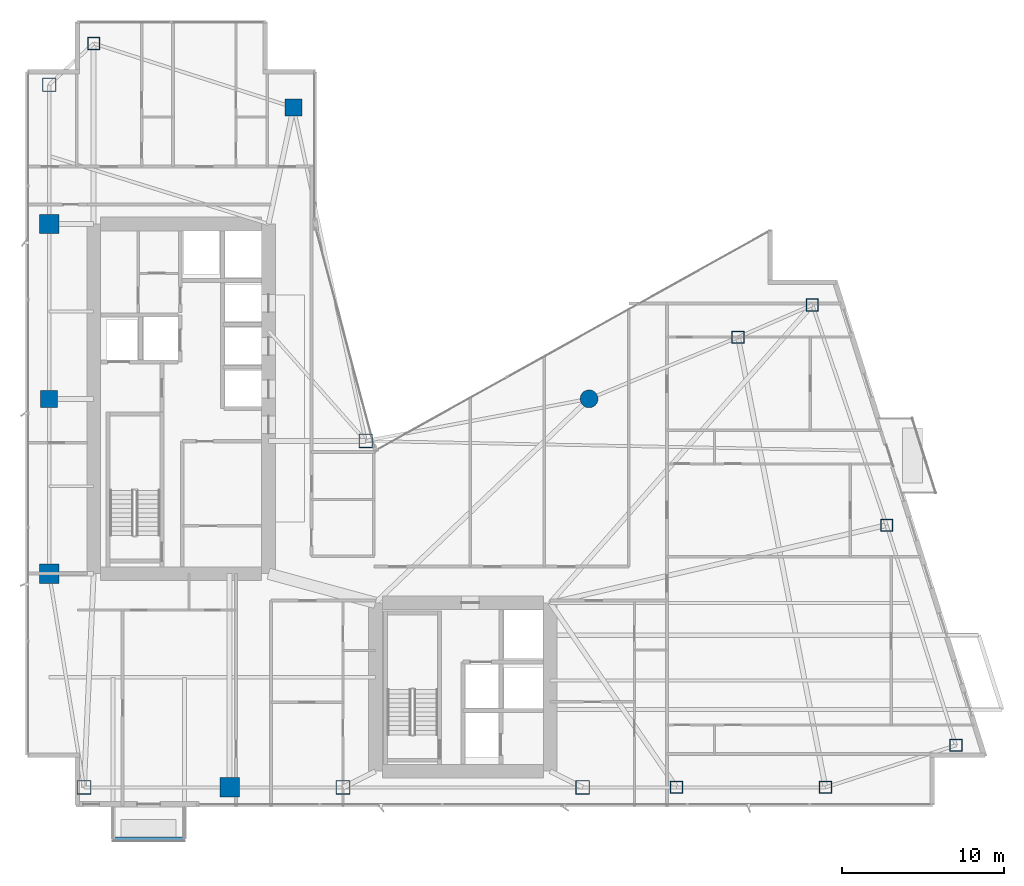
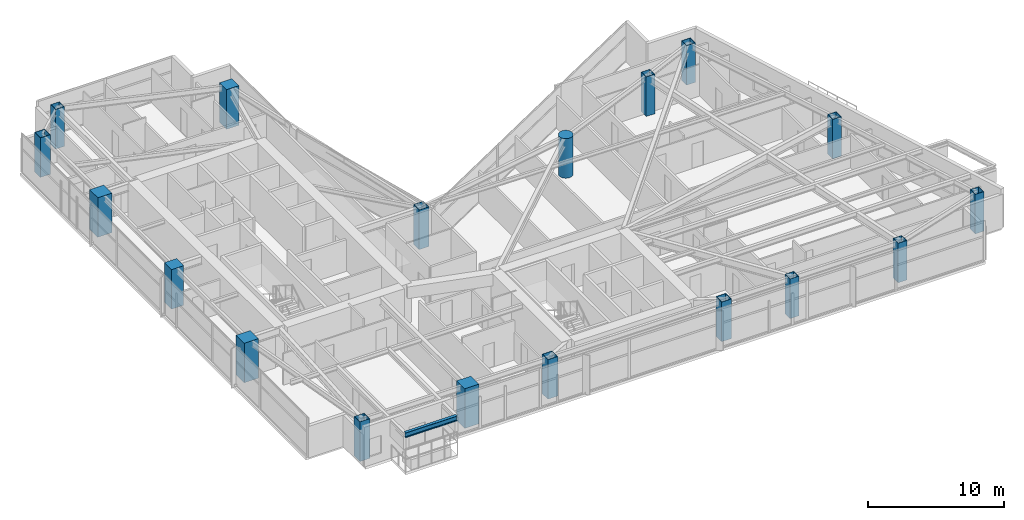
# One storey, part 1 of 28: 18 columns, 1 beam.
"""IFC4 building model written with IfcOpenShell, lengths in metres."""

from ifc_helpers import new_model, si_unit, direction, frame, origin, origin_2d, place, context, subcontext, project, spatial, rectangle, hollow_rectangle, circle, i_section, extrude, material, material_profile, profile_set, type_object, element, save


model = new_model("IFC4")

# Units and contexts
model_context = context("Model", 3, precision=1e-05, world=origin(), true_north=direction((0.0, 1.0)))
body_context = subcontext(model_context, "Body", "Model", "MODEL_VIEW")
ifc_project = project(units=[si_unit("LENGTHUNIT", "METRE"), si_unit("AREAUNIT", "SQUARE_METRE"), si_unit("VOLUMEUNIT", "CUBIC_METRE"), si_unit("PLANEANGLEUNIT", "RADIAN"), si_unit("MASSUNIT", "GRAM", prefix="KILO")], contexts=[model_context])

# Site, building, storey
site_placement = place(None, origin())
site = spatial("IfcSite", under=ifc_project, at=site_placement, CompositionType="ELEMENT")
building_placement = place(site_placement, origin())
building = spatial("IfcBuilding", under=site, at=building_placement, Name="Calvorn Quay Hotel", CompositionType="ELEMENT")
storey_placement = place(building_placement, frame((0.0, 0.0, 116.39990234375)))
storey = spatial("IfcBuildingStorey", under=building, at=storey_placement, Name="L28", CompositionType="ELEMENT", Elevation=116.39990234375)

# Columns
ifc_material_1 = material(Name="Concrete C50", Category="concrete")
ifc_material_profile_1 = material_profile(ifc_material_1, rectangle(XDim=1.050048828125, YDim=1.050048828125, at=origin_2d()), Name="RC1050x1050")
ifc_profile_set_1 = profile_set([ifc_material_profile_1], Name="Concrete C50")
column_type_1 = type_object("IfcColumnType", Name="COL-RC-1050", PredefinedType="COLUMN", material=ifc_profile_set_1)
for number, where, z_axis, x_axis, name in (
    (1, (1.449951171875, 27.60009765625, 0.0), (0.0, 0.0, 1.0), (1.0, 0.0, 0.0), "Column C-W3 (L28)"),
    (2, (16.550048828125, 45.60009765625, 0.0), (0.0, 0.0, 1.0), (1.0, 0.0, 0.0), "Column C-IC1 (L28)"),
):
    element("IfcColumn", number, at=place(storey_placement, frame(where, z_axis=z_axis, x_axis=x_axis)), inside=storey, type_object=column_type_1, Name=name, PredefinedType="COLUMN", context=body_context, shape_type="SweptSolid", body=[
        extrude(rectangle(XDim=1.050048828125, YDim=1.050048828125, at=origin_2d()), origin(), (0.0, 0.0, 1.0), 3.56005859375),
    ])
ifc_material_2 = material(Name="Concrete C50", Category="concrete")
ifc_material_profile_2 = material_profile(ifc_material_2, rectangle(XDim=1.199951171875, YDim=1.199951171875, at=origin_2d()), Name="RC1200x1200")
ifc_profile_set_2 = profile_set([ifc_material_profile_2], Name="Concrete C50")
column_type_2 = type_object("IfcColumnType", Name="COL-RC-1200", PredefinedType="COLUMN", material=ifc_profile_set_2)
for number, where, z_axis, x_axis, name in (
    (3, (1.449951171875, 16.800048828125, 0.0), (0.0, 0.0, 1.0), (1.0, 0.0, 0.0), "Column C-W2 (L28)"),
    (4, (1.449951171875, 38.39990234375, 0.0), (0.0, 0.0, 1.0), (1.0, 0.0, 0.0), "Column C-W4 (L28)"),
    (5, (12.60009765625, 3.60009765625, 0.0), (0.0, 0.0, 1.0), (1.0, 0.0, 0.0), "Column C-S1 (L28)"),
):
    element("IfcColumn", number, at=place(storey_placement, frame(where, z_axis=z_axis, x_axis=x_axis)), inside=storey, type_object=column_type_2, Name=name, PredefinedType="COLUMN", context=body_context, shape_type="SweptSolid", body=[
        extrude(rectangle(XDim=1.199951171875, YDim=1.199951171875, at=origin_2d()), origin(), (0.0, 0.0, 1.0), 3.56005859375),
    ])
ifc_material_3 = material(Name="Concrete C50", Category="concrete")
ifc_material_profile_3 = material_profile(ifc_material_3, circle(Radius=0.550048828125, at=origin_2d()), Name="RCD1100")
ifc_profile_set_3 = profile_set([ifc_material_profile_3], Name="Concrete C50")
column_type_3 = type_object("IfcColumnType", Name="COL-RC-D1100", PredefinedType="COLUMN", material=ifc_profile_set_3)
column_placement = place(storey_placement, frame((34.800048828125, 27.60009765625, 0.0), z_axis=(0.0, 0.0, 1.0), x_axis=(1.0, 0.0, 0.0)))
element("IfcColumn", 6, at=column_placement, inside=storey, type_object=column_type_3, Name="Column C-NC1 (L28)", PredefinedType="COLUMN", context=body_context, shape_type="SweptSolid", body=[
    extrude(circle(Radius=0.550048828125, at=origin_2d()), origin(), (0.0, 0.0, 1.0), 3.56005859375),
])
ifc_material_4 = material(Name="Steel Q390GJC", Category="steel")
ifc_material_profile_4 = material_profile(ifc_material_4, hollow_rectangle(XDim=0.85009765625, YDim=0.85009765625, WallThickness=0.035888671875, at=origin_2d()), Name="BOX850x850x36")
ifc_profile_set_4 = profile_set([ifc_material_profile_4], Name="Steel Q390GJC")
column_type_4 = type_object("IfcColumnType", Name="COL-STL-Z2", PredefinedType="COLUMN", material=ifc_profile_set_4)
for number, where, z_axis, x_axis, name in (
    (7, (3.60009765625, 3.60009765625, 0.0), (0.0, 0.0, 1.0), (1.0, 0.0, 0.0), "Column C-W1 (L28)"),
    (8, (1.449951171875, 47.0, 0.0), (0.0, 0.0, 1.0), (1.0, 0.0, 0.0), "Column C-W5 (L28)"),
    (9, (21.0, 25.0, 0.0), (0.0, 0.0, 1.0), (1.0, 0.0, 0.0), "Column C-IC2 (L28)"),
    (10, (19.60009765625, 3.60009765625, 0.0), (0.0, 0.0, 1.0), (1.0, 0.0, 0.0), "Column C-S2 (L28)"),
    (11, (34.39990234375, 3.60009765625, 0.0), (0.0, 0.0, 1.0), (1.0, 0.0, 0.0), "Column C-S3 (L28)"),
):
    element("IfcColumn", number, at=place(storey_placement, frame(where, z_axis=z_axis, x_axis=x_axis)), inside=storey, type_object=column_type_4, Name=name, PredefinedType="COLUMN", context=body_context, shape_type="SweptSolid", body=[
        extrude(hollow_rectangle(XDim=0.85009765625, YDim=0.85009765625, WallThickness=0.035888671875, at=origin_2d()), origin(), (0.0, 0.0, 1.0), 3.56005859375),
    ])
ifc_material_5 = material(Name="Steel Q390GJC", Category="steel")
ifc_material_profile_5 = material_profile(ifc_material_5, hollow_rectangle(XDim=0.75, YDim=0.75, WallThickness=0.031982421875, at=origin_2d()), Name="BOX750x750x32")
ifc_profile_set_5 = profile_set([ifc_material_profile_5], Name="Steel Q390GJC")
column_type_5 = type_object("IfcColumnType", Name="COL-STL-Z3", PredefinedType="COLUMN", material=ifc_profile_set_5)
for number, where, z_axis, x_axis, name in (
    (12, (4.199951171875, 49.550048828125, 0.0), (0.0, 0.0, 1.0), (1.0, 0.0, 0.0), "Column C-NW1 (L28)"),
    (13, (40.199951171875, 3.60009765625, 0.0), (0.0, 0.0, 1.0), (1.0, 0.0, 0.0), "Column C-S4 (L28)"),
    (14, (49.39990234375, 3.60009765625, 0.0), (0.0, 0.0, 1.0), (1.0, 0.0, 0.0), "Column C-S5 (L28)"),
    (15, (44.0, 31.39990234375, 0.0), (0.0, 0.0, 1.0), (1.0, 0.0, 0.0), "Column C-NC2 (L28)"),
    (16, (57.4609375, 6.199951171875, 0.0), (0.0, 0.0, 1.0), (1.0, 0.0, 0.0), "Column C-ET1 (L28)"),
    (17, (53.176025390625, 19.800048828125, 0.0), (0.0, 0.0, 1.0), (1.0, 0.0, 0.0), "Column C-ET2 (L28)"),
    (18, (48.591064453125, 33.39990234375, 0.0), (0.0, 0.0, 1.0), (1.0, 0.0, 0.0), "Column C-ET3 (L28)"),
):
    element("IfcColumn", number, at=place(storey_placement, frame(where, z_axis=z_axis, x_axis=x_axis)), inside=storey, type_object=column_type_5, Name=name, PredefinedType="COLUMN", context=body_context, shape_type="SweptSolid", body=[
        extrude(hollow_rectangle(XDim=0.75, YDim=0.75, WallThickness=0.031982421875, at=origin_2d()), origin(), (0.0, 0.0, 1.0), 3.56005859375),
    ])

# Beam
ifc_material_6 = material(Name="Steel Q355B", Category="steel")
ifc_material_profile_6 = material_profile(ifc_material_6, i_section(OverallWidth=0.25, OverallDepth=0.449951171875, WebThickness=0.011962890625, FlangeThickness=0.01611328125, FilletRadius=0.01611328125, at=origin_2d()), Name="HN450x250x12x16")
ifc_profile_set_6 = profile_set([ifc_material_profile_6], Name="Steel Q355B")
beam_type = type_object("IfcBeamType", Name="BM-CANT-BALC", PredefinedType="BEAM", material=ifc_profile_set_6)
beam_placement = place(storey_placement, frame((5.39990234375, 0.409912109375, 3.315185546875), z_axis=(1.0, 0.0, 0.0), x_axis=(0.0, 1.0, 0.0)))
element("IfcBeam", 19, at=beam_placement, inside=storey, type_object=beam_type, Name="Beam BCBO-L29-2", PredefinedType="BEAM", context=body_context, shape_type="SweptSolid", body=[
    extrude(i_section(OverallWidth=0.25, OverallDepth=0.449951171875, WebThickness=0.011962890625, FlangeThickness=0.01611328125, FilletRadius=0.01611328125, at=origin_2d()), origin(), (0.0, 0.0, 1.0), 4.400146484375),
])

save(model, "model.ifc")
